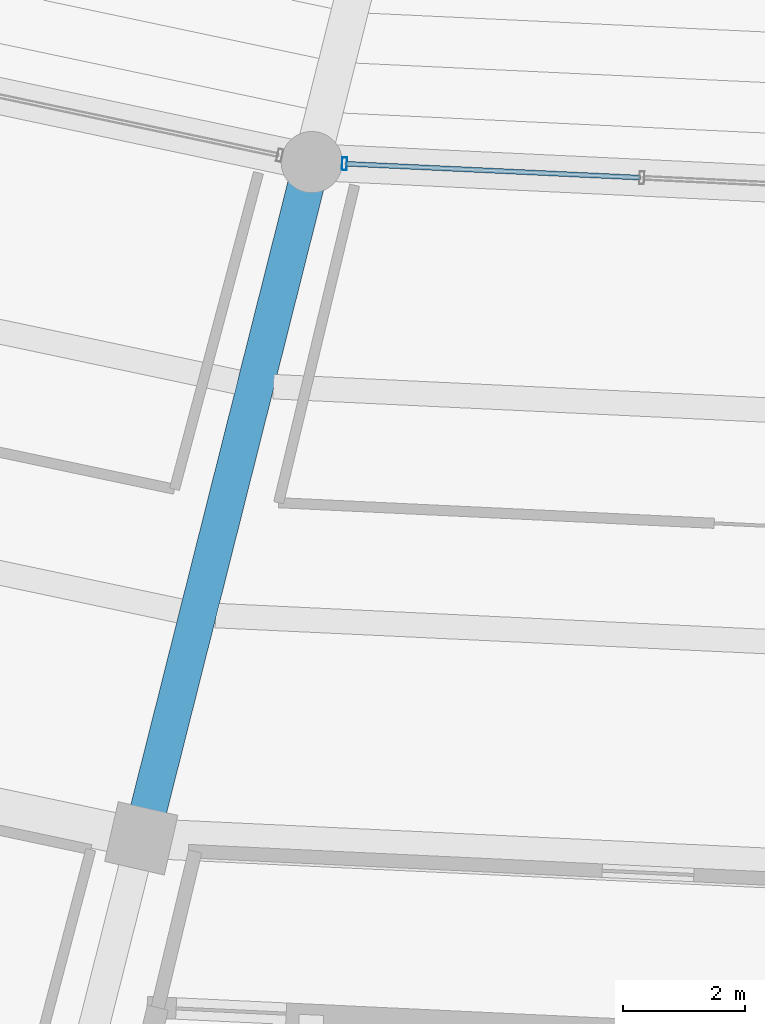
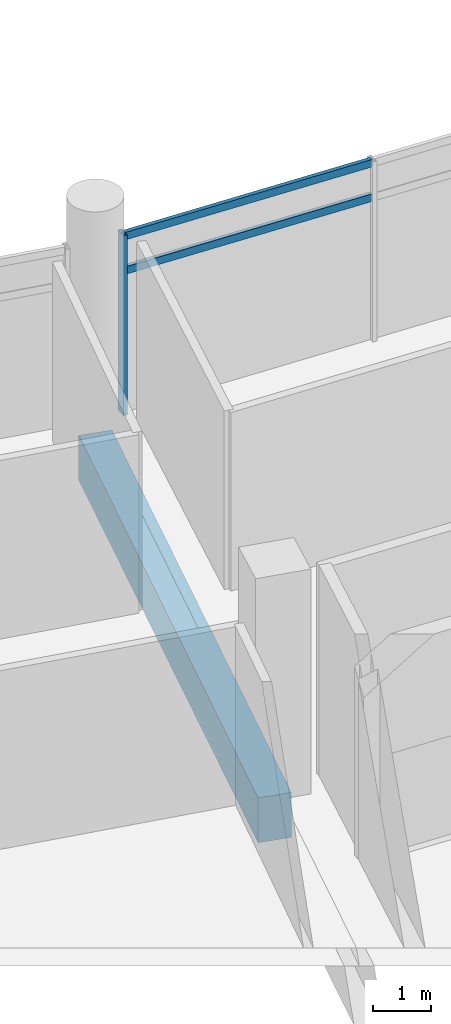
# One storey, part 23 of 171: 3 members, 1 beam, 1 element without a shape of its own.
"""IFC4 building model written with IfcOpenShell, lengths in metres."""

from ifc_helpers import new_model, si_unit, direction, frame, origin, origin_2d, place, context, subcontext, project, spatial, rectangle, hollow_rectangle, extrude, material, layer, layer_set, material_profile, profile_set, type_object, element, aggregate, save


model = new_model("IFC4")

# Units and contexts
model_context = context("Model", 3, precision=1e-05, world=origin(), true_north=direction((0.0, 1.0)))
body_context = subcontext(model_context, "Body", "Model", "MODEL_VIEW")
ifc_project = project(units=[si_unit("LENGTHUNIT", "METRE"), si_unit("AREAUNIT", "SQUARE_METRE"), si_unit("VOLUMEUNIT", "CUBIC_METRE"), si_unit("PLANEANGLEUNIT", "RADIAN"), si_unit("MASSUNIT", "GRAM", prefix="KILO")], contexts=[model_context])

# Site, building, storey
site_placement = place(None, origin())
site = spatial("IfcSite", under=ifc_project, at=site_placement, CompositionType="ELEMENT")
building_placement = place(site_placement, origin())
building = spatial("IfcBuilding", under=site, at=building_placement, Name="Kazemori Nagisa Stadium", CompositionType="ELEMENT")
storey_placement = place(building_placement, frame((0.0, 0.0, 15.639892578125)))
storey = spatial("IfcBuildingStorey", under=building, at=storey_placement, Name="L03", CompositionType="ELEMENT", Elevation=15.639892578125)

# Beam
ifc_material_1 = material(Name="Concrete C40/50 (Fc42)", Category="concrete")
ifc_material_profile_1 = material_profile(ifc_material_1, rectangle(XDim=0.60009765625, YDim=0.949951171875, at=origin_2d()), Name="RC-BM-600x950")
ifc_profile_set_1 = profile_set([ifc_material_profile_1], Name="Concrete C40/50 (Fc42)")
beam_type = type_object("IfcBeamType", Name="Beam_BG-RC600X950", PredefinedType="BEAM", material=ifc_profile_set_1)
beam_placement = place(storey_placement, frame((107.35791015625, 39.959716796875, -0.73486328125), z_axis=(-0.244481205955, -0.969654031052, 0.0), x_axis=(0.969654031052, -0.244481205955, 0.0)))
element("IfcBeam", 1, at=beam_placement, inside=storey, type_object=beam_type, Name="Radial girder BG-RC600X950 L03 R1-R2-21", PredefinedType="BEAM", context=body_context, shape_type="SweptSolid", body=[
    extrude(rectangle(XDim=0.60009765625, YDim=0.949951171875, at=origin_2d()), origin(), (0.0, 0.0, 1.0), 11.39404296875),
])

# Curtain wall, members
ifc_material_2 = material(Name="Anodised aluminium 6063-T5", Category="aluminium")
ifc_layer = layer(ifc_material_2, 0.2099609375, Name="Anodised aluminium 6063-T5", Category="aluminium")
ifc_layer_set = layer_set([ifc_layer], Name="Anodised aluminium 6063-T5")
curtain_wall_type = type_object("IfcCurtainWallType", Name="CW_L03B_73", PredefinedType="USERDEFINED", material=ifc_layer_set)
curtain_wall_placement = place(storey_placement, origin())
curtain_wall = element("IfcCurtainWall", 2, at=curtain_wall_placement, inside=storey, type_object=curtain_wall_type, Name="Unitised curtain wall CW-L03B-73 L03", ObjectType="UNITISED CURTAIN WALL", PredefinedType="USERDEFINED")
ifc_material_3 = material(Name="Aluminium 6063-T5 anodised", Category="aluminium")
ifc_material_profile_2 = material_profile(ifc_material_3, hollow_rectangle(XDim=0.080078125, YDim=0.2099609375, WallThickness=0.0048828125, at=origin_2d()), Name="ALU-MULL-80x210x5")
ifc_profile_set_2 = profile_set([ifc_material_profile_2], Name="Aluminium 6063-T5 anodised")
member_type_1 = type_object("IfcMemberType", Name="Mullion_M02", PredefinedType="MULLION", material=ifc_profile_set_2)
member_1_placement = place(storey_placement, frame((107.89208984375, 39.934326171875, 0.0), z_axis=(0.0, 0.0, 1.0), x_axis=(0.998884022476, -0.047230388971, 0.0)))
member_1 = element("IfcMember", 3, at=member_1_placement, type_object=member_type_1, Name="Curtain wall mullion CW-L03B-73-M1", PredefinedType="MULLION", context=body_context, shape_type="SweptSolid", body=[
    extrude(hollow_rectangle(XDim=0.080078125, YDim=0.2099609375, WallThickness=0.0048828125, at=origin_2d()), origin(), (0.0, 0.0, 1.0), 3.81005859375),
])
ifc_material_profile_3 = material_profile(ifc_material_3, hollow_rectangle(XDim=0.080078125, YDim=0.159912109375, WallThickness=0.00390625, at=origin_2d()), Name="ALU-TRAN-80x160x4")
ifc_profile_set_3 = profile_set([ifc_material_profile_3], Name="Aluminium 6063-T5 anodised")
member_type_2 = type_object("IfcMemberType", Name="Transom_T02", PredefinedType="USERDEFINED", material=ifc_profile_set_3)
member_2_placement = place(storey_placement, frame((107.912109375, 39.933349609375, 3.010009765625), z_axis=(0.998884227355, -0.047226055748, 0.0), x_axis=(0.047226055748, 0.998884227355, 0.0)))
member_2 = element("IfcMember", 4, at=member_2_placement, type_object=member_type_2, Name="Curtain wall transom CW-L03B-73-T1-mid", ObjectType="TRANSOM", PredefinedType="USERDEFINED", context=body_context, shape_type="SweptSolid", body=[
    extrude(hollow_rectangle(XDim=0.080078125, YDim=0.159912109375, WallThickness=0.00390625, at=origin_2d()), origin(), (0.0, 0.0, 1.0), 4.8232421875),
])
member_3_placement = place(storey_placement, frame((107.912109375, 39.933349609375, 3.739990234375), z_axis=(0.998884227355, -0.047226055748, 0.0), x_axis=(0.047226055748, 0.998884227355, 0.0)))
member_3 = element("IfcMember", 5, at=member_3_placement, type_object=member_type_2, Name="Curtain wall transom CW-L03B-73-T1-head", ObjectType="TRANSOM", PredefinedType="USERDEFINED", context=body_context, shape_type="SweptSolid", body=[
    extrude(hollow_rectangle(XDim=0.080078125, YDim=0.159912109375, WallThickness=0.00390625, at=origin_2d()), origin(), (0.0, 0.0, 1.0), 4.8232421875),
])
aggregate(curtain_wall, [member_1, member_2, member_3])

save(model, "model.ifc")
